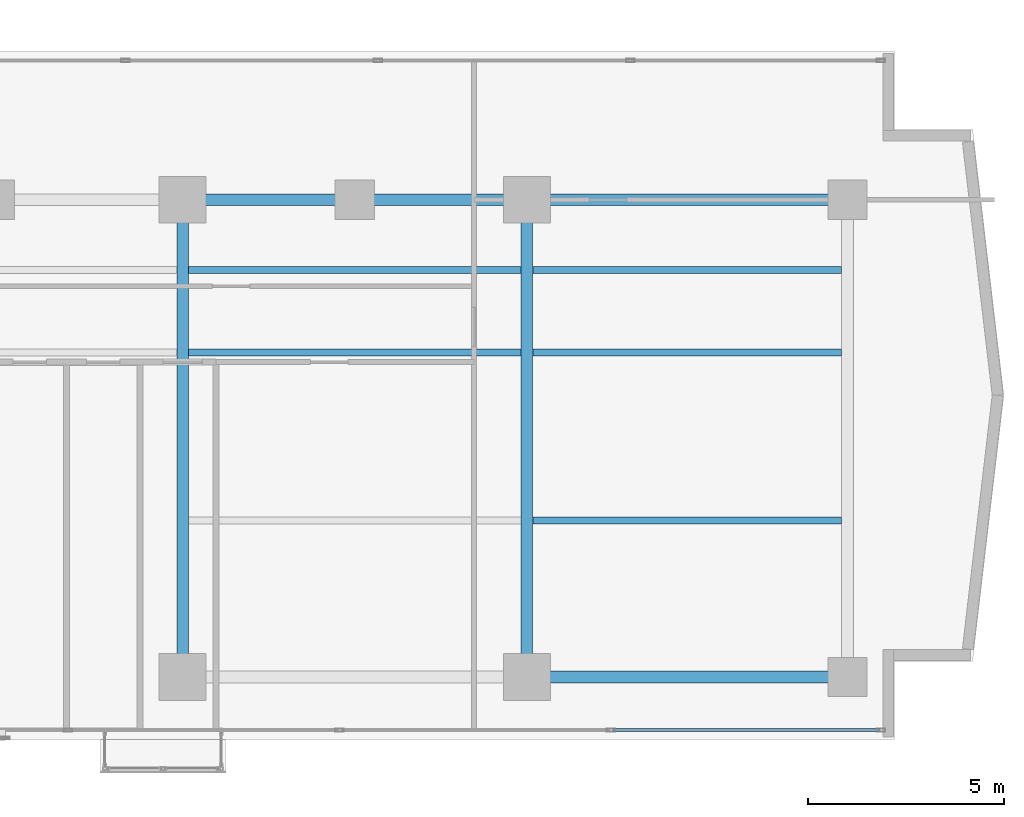
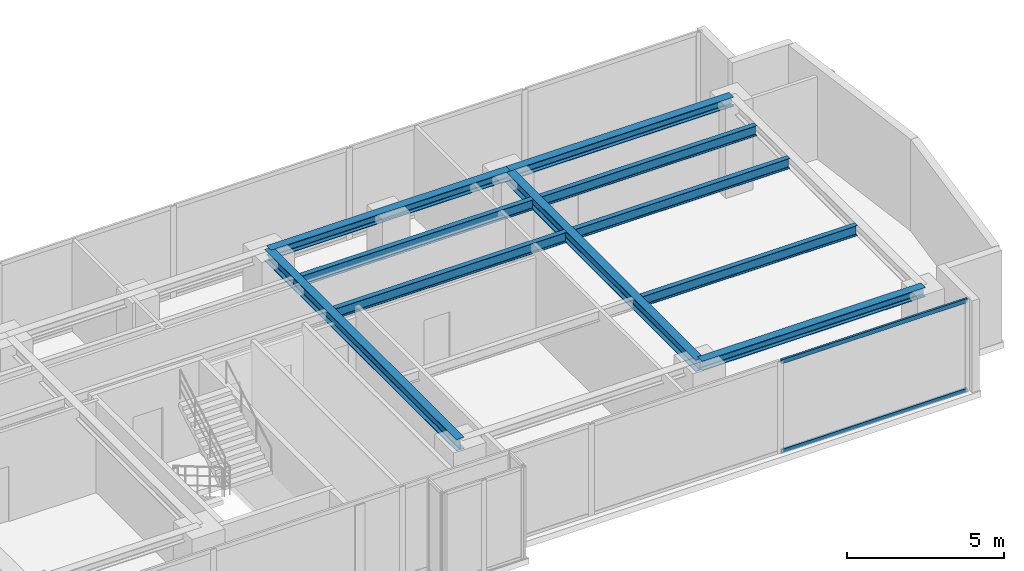
# One storey, part 12 of 27: 10 beams, 2 members, 1 element without a shape of its own.
"""IFC4 building model written with IfcOpenShell, lengths in metres."""

import ifcopenshell
import ifcopenshell.guid

model = None  # the IFC model being written
_history = None  # IfcOwnerHistory: only IFC2X3 demands one
_inside = {}  # id of a spatial element -> (the spatial element, [elements in it])
_under = {}  # id of a project, library or spatial element -> (it, [spatial elements below it])
_declared = {}  # id of a project -> (the project, [libraries it declares])
_typed = {}  # id of a type object -> (the type object, [elements of that type])
_made_of = {}  # id of a material, layer set ... -> (it, [elements and type objects made of it])


def new_model(schema):
    """Start an empty IFC model of exactly this schema.

    Asked for "IFC4X3", IfcOpenShell would pick the latest addendum, in which some entities
    have other attributes; the version numbers below select the first issue.
    IFC2X3 requires an IfcOwnerHistory on every rooted entity: one is made here for all.
    """
    global model, _history
    if schema == "IFC4X3":
        model = ifcopenshell.file(schema_version=(4, 3, 0, 0))
    else:
        model = ifcopenshell.file(schema=schema)
    _inside.clear()
    _under.clear()
    _declared.clear()
    _typed.clear()
    _made_of.clear()
    _history = None
    if model.schema == "IFC2X3":
        org = make("IfcOrganization", Name="unknown")
        user = make(
            "IfcPersonAndOrganization",
            ThePerson=make("IfcPerson", FamilyName="unknown"),
            TheOrganization=org,
        )
        app = make(
            "IfcApplication",
            ApplicationDeveloper=org,
            Version="unknown",
            ApplicationFullName="unknown",
            ApplicationIdentifier="unknown",
        )
        _history = make(
            "IfcOwnerHistory",
            OwningUser=user,
            OwningApplication=app,
            ChangeAction="ADDED",
            CreationDate=0,
        )
    return model


def make(cls, **values):
    """One entity of the class cls with the attributes given. An attribute that is None is left unset."""
    return model.create_entity(
        cls, **{name: value for name, value in values.items() if value is not None}
    )


def rooted(cls, **values):
    """An entity with a GlobalId (a new one), such as an element, a storey or a relation."""
    return make(cls, GlobalId=ifcopenshell.guid.new(), OwnerHistory=_history, **values)


def si_unit(unit_type, name, prefix=None):
    """IfcSIUnit, for example si_unit("LENGTHUNIT", "METRE", prefix="MILLI")."""
    return make("IfcSIUnit", UnitType=unit_type, Prefix=prefix, Name=name)


def assignment(units):
    """IfcUnitAssignment: the units of a project."""
    return None if units is None else make("IfcUnitAssignment", Units=units)


def point(xyz):
    """IfcCartesianPoint."""
    return None if xyz is None else make("IfcCartesianPoint", Coordinates=xyz)


def direction(xyz):
    """IfcDirection."""
    return None if xyz is None else make("IfcDirection", DirectionRatios=xyz)


def frame(location, z_axis=None, x_axis=None):
    """IfcAxis2Placement3D, a coordinate frame: its origin and axes. An axis left out is left unset."""
    return make(
        "IfcAxis2Placement3D",
        Location=point(location),
        Axis=direction(z_axis),
        RefDirection=direction(x_axis),
    )


def frame_2d(location, x_axis=None):
    """IfcAxis2Placement2D, a coordinate frame in the plane: its origin and x axis."""
    return make(
        "IfcAxis2Placement2D", Location=point(location), RefDirection=direction(x_axis)
    )


def origin():
    """The frame at (0, 0, 0) with its axes left unset."""
    return frame((0.0, 0.0, 0.0))


def origin_with_axes():
    """The frame at (0, 0, 0) with the z axis (0, 0, 1) and the x axis (1, 0, 0) written out."""
    return frame((0.0, 0.0, 0.0), z_axis=(0.0, 0.0, 1.0), x_axis=(1.0, 0.0, 0.0))


def origin_2d():
    """The frame at (0, 0) in the plane with its x axis left unset."""
    return frame_2d((0.0, 0.0))


def place(relative_to, where):
    """IfcLocalPlacement: puts the frame where relative to a parent placement (None: the world)."""
    return make(
        "IfcLocalPlacement", PlacementRelTo=relative_to, RelativePlacement=where
    )


def context(
    kind, dimensions, precision=None, world=None, true_north=None, identifier=None
):
    """IfcGeometricRepresentationContext, for example the 3D "Model" context."""
    return make(
        "IfcGeometricRepresentationContext",
        ContextIdentifier=identifier,
        ContextType=kind,
        CoordinateSpaceDimension=dimensions,
        Precision=precision,
        WorldCoordinateSystem=world,
        TrueNorth=true_north,
    )


def subcontext(parent, identifier, kind, view, scale=None):
    """IfcGeometricRepresentationSubContext, for example "Body" below "Model"."""
    return make(
        "IfcGeometricRepresentationSubContext",
        ContextIdentifier=identifier,
        ContextType=kind,
        ParentContext=parent,
        TargetScale=scale,
        TargetView=view,
    )


def project(units=None, contexts=None):
    """IfcProject with its units and contexts."""
    return rooted(
        "IfcProject",
        Name="project",
        RepresentationContexts=contexts,
        UnitsInContext=assignment(units),
    )


def spatial(cls, under=None, at=None, **own):
    """A site, building, storey or space (cls), placed at a placement, below another one or the project."""
    s = rooted(cls, ObjectPlacement=at, **own)
    if under is not None:
        _under.setdefault(under.id(), (under, []))[1].append(s)
    return s


def profile(cls, at=None, kind="AREA", **sizes):
    """A parametric profile (cls). Its sizes go by their IFC names, for example OverallWidth=200.0."""
    return make(cls, ProfileType=kind, Position=at, **sizes)


def hollow_rectangle(**sizes):
    """IfcRectangleHollowProfileDef."""
    return profile("IfcRectangleHollowProfileDef", **sizes)


def i_section(**sizes):
    """IfcIShapeProfileDef."""
    return profile("IfcIShapeProfileDef", **sizes)


def extrude(swept, where, along, depth):
    """IfcExtrudedAreaSolid: the profile swept, set in the frame where, extruded along a direction by depth."""
    return make(
        "IfcExtrudedAreaSolid",
        SweptArea=swept,
        Position=where,
        ExtrudedDirection=direction(along),
        Depth=depth,
    )


def shape(context_of_items, identifier, shape_type, items):
    """IfcShapeRepresentation: the items that make up one representation, for example the "Body"."""
    return make(
        "IfcShapeRepresentation",
        ContextOfItems=context_of_items,
        RepresentationIdentifier=identifier,
        RepresentationType=shape_type,
        Items=items,
    )


def source(mapping_origin, context_of_items, identifier, shape_type, items):
    """IfcRepresentationMap: a shape defined once, which mapped items show again and again."""
    return make(
        "IfcRepresentationMap",
        MappingOrigin=mapping_origin,
        MappedRepresentation=shape(context_of_items, identifier, shape_type, items),
    )


def transform(
    local_origin,
    x_axis=None,
    y_axis=None,
    z_axis=None,
    scale=None,
    scale2=None,
    scale3=None,
    uniform=True,
):
    """IfcCartesianTransformationOperator3D, or its non-uniform kind. x_axis, y_axis, z_axis: its Axis1, 2, 3."""
    if uniform:
        return make(
            "IfcCartesianTransformationOperator3D",
            Axis1=direction(x_axis),
            Axis2=direction(y_axis),
            LocalOrigin=point(local_origin),
            Scale=scale,
            Axis3=direction(z_axis),
        )
    return make(
        "IfcCartesianTransformationOperator3DnonUniform",
        Axis1=direction(x_axis),
        Axis2=direction(y_axis),
        LocalOrigin=point(local_origin),
        Scale=scale,
        Axis3=direction(z_axis),
        Scale2=scale2,
        Scale3=scale3,
    )


def mapped(mapping_source, mapping_target):
    """IfcMappedItem: shows the shape of a source again, moved by a transform."""
    return make(
        "IfcMappedItem", MappingSource=mapping_source, MappingTarget=mapping_target
    )


def material(Name=None, Category=None):
    """IfcMaterial."""
    return make("IfcMaterial", Name=Name, Category=Category)


def layer(
    of_material, thickness, ventilated=None, Name=None, Category=None, Priority=None
):
    """IfcMaterialLayer: one layer of a wall or slab, of a material (None: an air gap)."""
    return make(
        "IfcMaterialLayer",
        Material=of_material,
        LayerThickness=thickness,
        IsVentilated=ventilated,
        Name=Name,
        Category=Category,
        Priority=Priority,
    )


def layer_set(layers, Name=None):
    """IfcMaterialLayerSet."""
    return make("IfcMaterialLayerSet", MaterialLayers=layers, LayerSetName=Name)


def material_profile(
    of_material, cross_section, Name=None, Category=None, Priority=None
):
    """IfcMaterialProfile: a cross section and its material."""
    return make(
        "IfcMaterialProfile",
        Name=Name,
        Material=of_material,
        Profile=cross_section,
        Priority=Priority,
        Category=Category,
    )


def profile_set(profiles, Name=None, composite=None):
    """IfcMaterialProfileSet."""
    return make(
        "IfcMaterialProfileSet",
        Name=Name,
        MaterialProfiles=profiles,
        CompositeProfile=composite,
    )


def made_of(thing, what):
    """Note that an element or type object is made of a material, layer set ...; save() writes the relation."""
    if what is not None:
        _made_of.setdefault(what.id(), (what, []))[1].append(thing)
    return thing


def type_object(cls, material=None, **own):
    """A type object (cls), such as IfcWallType, which elements share."""
    return made_of(rooted(cls, **own), material)


def element(
    cls,
    number,
    at=None,
    inside=None,
    cuts=None,
    type_object=None,
    material=None,
    context=None,
    identifier="Body",
    shape_type=None,
    held_by="IfcProductDefinitionShape",
    body=None,
    shapes=None,
    **own,
):
    """One element of the class cls, such as IfcWall. Its Tag is "e" and its number.

    at: its placement. inside: the storey or other place that contains it. cuts: it is an
    opening in that element (IfcRelVoidsElement). A single representation is given by context,
    identifier, shape_type and body (its items); several are given by shapes. held_by: the class
    of the entity that holds the representations. save() writes the other relations.
    """
    e = rooted(cls, Tag="e%d" % number, ObjectPlacement=at, **own)
    if body is not None:
        shapes = [shape(context, identifier, shape_type, body)]
    if shapes is not None:
        e.Representation = make(held_by, Representations=shapes)
    if inside is not None:
        _inside.setdefault(inside.id(), (inside, []))[1].append(e)
    if cuts is not None:
        rooted(
            "IfcRelVoidsElement", RelatingBuildingElement=cuts, RelatedOpeningElement=e
        )
    if type_object is not None:
        _typed.setdefault(type_object.id(), (type_object, []))[1].append(e)
    return made_of(e, material)


def aggregate(whole, parts):
    """IfcRelAggregates: a whole, such as a stair, and the parts it consists of."""
    return rooted("IfcRelAggregates", RelatingObject=whole, RelatedObjects=parts)


def save(model, path):
    """Write the relations noted so far, then the file.

    IfcRelAggregates (storeys below a building ...), IfcRelContainedInSpatialStructure (elements
    in a storey), IfcRelDefinesByType, IfcRelAssociatesMaterial and IfcRelDeclares: one each for
    every whole, place, type object, material and project.
    """
    for whole, parts in _under.values():
        aggregate(whole, parts)
    for where, things in _inside.values():
        rooted(
            "IfcRelContainedInSpatialStructure",
            RelatedElements=things,
            RelatingStructure=where,
        )
    for kind, things in _typed.values():
        rooted("IfcRelDefinesByType", RelatedObjects=things, RelatingType=kind)
    for what, things in _made_of.values():
        rooted("IfcRelAssociatesMaterial", RelatedObjects=things, RelatingMaterial=what)
    for by, libraries in _declared.values():
        rooted("IfcRelDeclares", RelatingContext=by, RelatedDefinitions=libraries)
    model.write(path)


model = new_model("IFC4")

# Units and contexts
model_context = context("Model", 3, precision=1e-05, world=origin(), true_north=direction((0.0, 1.0)))
body_context = subcontext(model_context, "Body", "Model", "MODEL_VIEW")
ifc_project = project(units=[si_unit("LENGTHUNIT", "METRE"), si_unit("AREAUNIT", "SQUARE_METRE"), si_unit("VOLUMEUNIT", "CUBIC_METRE"), si_unit("PLANEANGLEUNIT", "RADIAN"), si_unit("MASSUNIT", "GRAM", prefix="KILO")], contexts=[model_context])

# Site, building, storey
site_placement = place(None, origin())
site = spatial("IfcSite", under=ifc_project, at=site_placement, CompositionType="ELEMENT")
building_placement = place(site_placement, origin())
building = spatial("IfcBuilding", under=site, at=building_placement, Name="Kolvaren Waterfront Exchange", CompositionType="ELEMENT")
storey_placement = place(building_placement, frame((0.0, 0.0, 161.39990234375)))
storey = spatial("IfcBuildingStorey", under=building, at=storey_placement, Name="L41", CompositionType="ELEMENT", Elevation=161.39990234375)

# Beams
ifc_material_1 = material(Name="Steel S355", Category="steel")
ifc_material_profile_1 = material_profile(ifc_material_1, i_section(OverallWidth=0.300048828125, OverallDepth=0.360107421875, WebThickness=0.012451171875, FlangeThickness=0.0224609375, FilletRadius=0.027099609375, at=origin_2d()), Name="HEB360")
ifc_profile_set_1 = profile_set([ifc_material_profile_1], Name="Steel S355")
beam_type_1 = type_object("IfcBeamType", Name="STR-BM-HEB360", PredefinedType="SPANDREL", material=ifc_profile_set_1)
beam_1_placement = place(storey_placement, frame((45.60009765625, 5.199951171875, 3.380126953125), z_axis=(1.0, 0.0, 0.0), x_axis=(0.0, 1.0, 0.0)))
element("IfcBeam", 1, at=beam_1_placement, inside=storey, type_object=beam_type_1, Name="L41 east-arm spandrel S4", PredefinedType="SPANDREL", context=body_context, shape_type="SweptSolid", body=[
    extrude(i_section(OverallWidth=0.300048828125, OverallDepth=0.360107421875, WebThickness=0.012451171875, FlangeThickness=0.0224609375, FilletRadius=0.027099609375, at=origin_2d()), origin(), (0.0, 0.0, 1.0), 8.199951171875),
])
beam_2_placement = place(storey_placement, frame((36.800048828125, 17.39990234375, 3.380126953125), z_axis=(1.0, 0.0, 0.0), x_axis=(0.0, 1.0, 0.0)))
element("IfcBeam", 2, at=beam_2_placement, inside=storey, type_object=beam_type_1, Name="L41 east-arm spandrel N3", PredefinedType="SPANDREL", context=body_context, shape_type="SweptSolid", body=[
    extrude(i_section(OverallWidth=0.300048828125, OverallDepth=0.360107421875, WebThickness=0.012451171875, FlangeThickness=0.0224609375, FilletRadius=0.027099609375, at=origin_2d()), origin(), (0.0, 0.0, 1.0), 8.800048828125),
])
beam_3_placement = place(storey_placement, frame((45.60009765625, 17.39990234375, 3.380126953125), z_axis=(1.0, 0.0, 0.0), x_axis=(0.0, 1.0, 0.0)))
element("IfcBeam", 3, at=beam_3_placement, inside=storey, type_object=beam_type_1, Name="L41 east-arm spandrel N4", PredefinedType="SPANDREL", context=body_context, shape_type="SweptSolid", body=[
    extrude(i_section(OverallWidth=0.300048828125, OverallDepth=0.360107421875, WebThickness=0.012451171875, FlangeThickness=0.0224609375, FilletRadius=0.027099609375, at=origin_2d()), origin(), (0.0, 0.0, 1.0), 8.199951171875),
])
ifc_material_profile_2 = material_profile(ifc_material_1, i_section(OverallWidth=0.300048828125, OverallDepth=0.449951171875, WebThickness=0.013916015625, FlangeThickness=0.02587890625, FilletRadius=0.027099609375, at=origin_2d()), Name="HEB450")
ifc_profile_set_2 = profile_set([ifc_material_profile_2], Name="Steel S355")
beam_type_2 = type_object("IfcBeamType", Name="STR-BM-HEB450", PredefinedType="BEAM", material=ifc_profile_set_2)
for number, where, z_axis, x_axis, name in (
    (4, (36.800048828125, 5.199951171875, 3.335205078125), (0.0, 1.0, 0.0), (-1.0, 0.0, 0.0), "L41 east-arm transverse girder X36"),
    (5, (45.60009765625, 5.199951171875, 3.335205078125), (0.0, 1.0, 0.0), (-1.0, 0.0, 0.0), "L41 east-arm transverse girder X45"),
):
    element("IfcBeam", number, at=place(storey_placement, frame(where, z_axis=z_axis, x_axis=x_axis)), inside=storey, type_object=beam_type_2, Name=name, PredefinedType="BEAM", context=body_context, shape_type="SweptSolid", body=[
        extrude(i_section(OverallWidth=0.300048828125, OverallDepth=0.449951171875, WebThickness=0.013916015625, FlangeThickness=0.02587890625, FilletRadius=0.027099609375, at=origin_2d()), origin(), (0.0, 0.0, 1.0), 12.199951171875),
    ])
ifc_material_profile_3 = material_profile(ifc_material_1, i_section(OverallWidth=0.179931640625, OverallDepth=0.39990234375, WebThickness=0.008544921875, FlangeThickness=0.013427734375, FilletRadius=0.02099609375, at=origin_2d()), Name="IPE400")
ifc_profile_set_3 = profile_set([ifc_material_profile_3], Name="Steel S355")
beam_type_3 = type_object("IfcBeamType", Name="STR-BM-IPE400", PredefinedType="JOIST", material=ifc_profile_set_3)
for number, where, z_axis, x_axis, name in (
    (6, (36.951904296875, 13.5, 3.360107421875), (1.0, 0.0, 0.0), (0.0, 1.0, 0.0), "L41 east-arm composite joist 3A"),
    (7, (36.951904296875, 15.60009765625, 3.360107421875), (1.0, 0.0, 0.0), (0.0, 1.0, 0.0), "L41 east-arm composite joist 3C"),
):
    element("IfcBeam", number, at=place(storey_placement, frame(where, z_axis=z_axis, x_axis=x_axis)), inside=storey, type_object=beam_type_3, Name=name, PredefinedType="JOIST", context=body_context, shape_type="SweptSolid", body=[
        extrude(i_section(OverallWidth=0.179931640625, OverallDepth=0.39990234375, WebThickness=0.008544921875, FlangeThickness=0.013427734375, FilletRadius=0.02099609375, at=origin_2d()), origin(), (0.0, 0.0, 1.0), 8.49609375),
    ])
for number, where, z_axis, x_axis, name in (
    (8, (45.751953125, 13.5, 3.360107421875), (1.0, 0.0, 0.0), (0.0, 1.0, 0.0), "L41 east-arm composite joist 4A"),
    (9, (45.751953125, 15.60009765625, 3.360107421875), (1.0, 0.0, 0.0), (0.0, 1.0, 0.0), "L41 east-arm composite joist 4C"),
    (10, (45.751953125, 9.199951171875, 3.360107421875), (1.0, 0.0, 0.0), (0.0, 1.0, 0.0), "L41 east-arm composite joist 4B"),
):
    element("IfcBeam", number, at=place(storey_placement, frame(where, z_axis=z_axis, x_axis=x_axis)), inside=storey, type_object=beam_type_3, Name=name, PredefinedType="JOIST", context=body_context, shape_type="SweptSolid", body=[
        extrude(i_section(OverallWidth=0.179931640625, OverallDepth=0.39990234375, WebThickness=0.008544921875, FlangeThickness=0.013427734375, FilletRadius=0.02099609375, at=origin_2d()), origin(), (0.0, 0.0, 1.0), 7.89599609375),
    ])

# Curtain wall, members
ifc_material_2 = material(Name="Anodised bronze aluminium 6063-T6", Category="aluminium")
ifc_layer = layer(ifc_material_2, 0.219970703125, Name="Anodised bronze aluminium 6063-T6")
ifc_layer_set = layer_set([ifc_layer], Name="Anodised bronze aluminium 6063-T6")
curtain_wall_type = type_object("IfcCurtainWallType", Name="ARC-CW-SYS1", PredefinedType="USERDEFINED", material=ifc_layer_set)
curtain_wall_placement = place(storey_placement, origin())
curtain_wall = element("IfcCurtainWall", 11, at=curtain_wall_placement, inside=storey, type_object=curtain_wall_type, Name="L41 stick curtain wall CW1 (CW-L41-S)", ObjectType="STICK CURTAIN WALL", PredefinedType="USERDEFINED")
ifc_material_3 = material(Name="Anodised aluminium 6063-T6", Category="aluminium")
ifc_material_profile_4 = material_profile(ifc_material_3, hollow_rectangle(XDim=0.074951171875, YDim=0.159912109375, WallThickness=0.00439453125, at=origin_2d()), Name="ALU-TRN-160x75x4.5")
ifc_profile_set_4 = profile_set([ifc_material_profile_4], Name="Anodised aluminium 6063-T6")
member_type = type_object("IfcMemberType", Name="ARC-CWT-160", PredefinedType="USERDEFINED", material=ifc_profile_set_4)
shared_shape = source(origin_with_axes(), body_context, "Body", "SweptSolid", [
    extrude(hollow_rectangle(XDim=0.074951171875, YDim=0.159912109375, WallThickness=0.00439453125, at=origin_2d()), origin(), (0.0, 0.0, 1.0), 6.822998046875),
])
member_1_placement = place(storey_placement, frame((47.797119140625, 3.840087890625, 0.03759765625), z_axis=(1.0, 0.0, 0.0), x_axis=(0.0, 1.0, 0.0)))
member_1 = element("IfcMember", 12, at=member_1_placement, type_object=member_type, Name="CW1 transom 7.1", ObjectType="TRANSOM", PredefinedType="USERDEFINED", context=body_context, shape_type="MappedRepresentation", body=[
    mapped(shared_shape, transform((0.0, 0.0, 0.0), x_axis=(1.0, 0.0, 0.0), y_axis=(0.0, 1.0, 0.0), z_axis=(0.0, 0.0, 1.0), scale=1.0)),
])
member_2_placement = place(storey_placement, frame((47.797119140625, 3.840087890625, 3.522705078125), z_axis=(1.0, 0.0, 0.0), x_axis=(0.0, 1.0, 0.0)))
member_2 = element("IfcMember", 13, at=member_2_placement, type_object=member_type, Name="CW1 transom 7.2", ObjectType="TRANSOM", PredefinedType="USERDEFINED", context=body_context, shape_type="MappedRepresentation", body=[
    mapped(shared_shape, transform((0.0, 0.0, 0.0), x_axis=(1.0, 0.0, 0.0), y_axis=(0.0, 1.0, 0.0), z_axis=(0.0, 0.0, 1.0), scale=1.0)),
])
aggregate(curtain_wall, [member_1, member_2])

save(model, "model.ifc")
